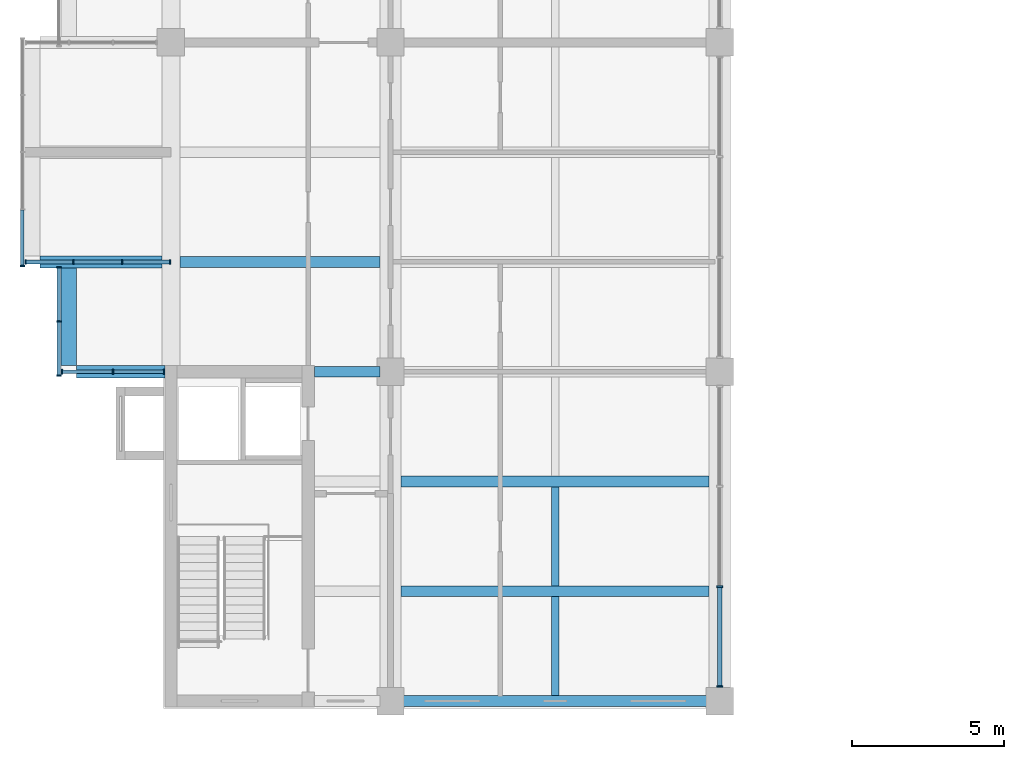
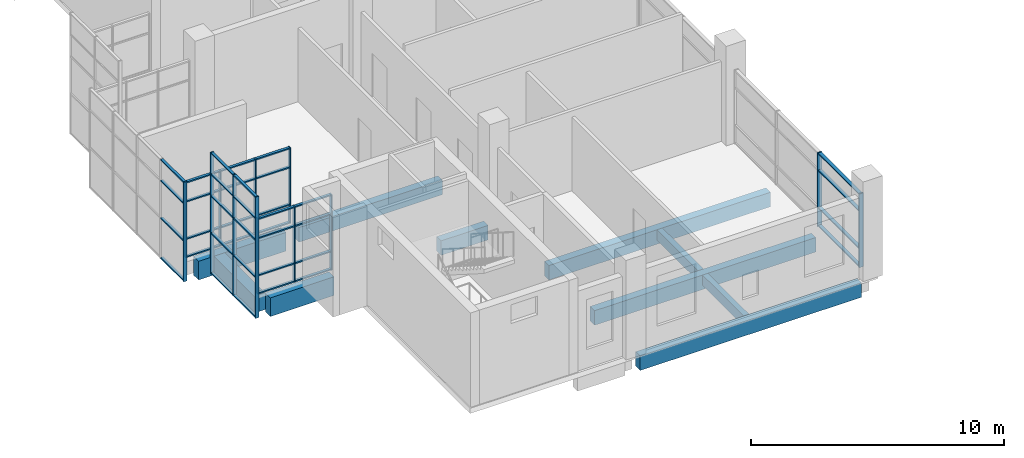
# One storey, part 2 of 23: 51 members, 10 beams, 5 elements without a shape of their own.
"""IFC4 building model written with IfcOpenShell, lengths in metres."""

from ifc_helpers import new_model, si_unit, direction, frame, origin, origin_2d, place, context, subcontext, project, spatial, rectangle, extrude, material, layer, layer_set, material_profile, profile_set, type_object, element, aggregate, save


model = new_model("IFC4")

# Units and contexts
model_context = context("Model", 3, precision=1e-05, world=origin(), true_north=direction((0.0, 1.0)))
body_context = subcontext(model_context, "Body", "Model", "MODEL_VIEW")
ifc_project = project(units=[si_unit("LENGTHUNIT", "METRE"), si_unit("AREAUNIT", "SQUARE_METRE"), si_unit("VOLUMEUNIT", "CUBIC_METRE"), si_unit("PLANEANGLEUNIT", "RADIAN"), si_unit("MASSUNIT", "GRAM", prefix="KILO")], contexts=[model_context])

# Site, building, storey
site_placement = place(None, origin())
site = spatial("IfcSite", under=ifc_project, at=site_placement, CompositionType="ELEMENT")
building_placement = place(site_placement, origin())
building = spatial("IfcBuilding", under=site, at=building_placement, Name="Basin Gate Institute", CompositionType="ELEMENT")
storey_placement = place(building_placement, frame((0.0, 0.0, 46.199951171875)))
storey = spatial("IfcBuildingStorey", under=building, at=storey_placement, Name="L09", CompositionType="ELEMENT", Elevation=46.199951171875)

# Beams
ifc_material_1 = material(Name="Concrete 40 MPa", Category="concrete")
ifc_material_profile_1 = material_profile(ifc_material_1, rectangle(XDim=0.35009765625, YDim=0.699951171875, at=origin_2d()), Name="Beam B1 350 x 700")
ifc_profile_set_1 = profile_set([ifc_material_profile_1], Name="Concrete 40 MPa")
beam_type_1 = type_object("IfcBeamType", Name="Beam B1 R120", PredefinedType="BEAM", material=ifc_profile_set_1)
for number, where, z_axis, x_axis, name in (
    (1, (68.75, 35.10009765625, -0.599853515625), (1.0, 0.0, 0.0), (0.0, 1.0, 0.0), "BEAM/L09/W/EW/01"),
    (2, (68.75, 38.699951171875, -0.599853515625), (1.0, 0.0, 0.0), (0.0, 1.0, 0.0), "BEAM/L09/W/EW/02"),
    (3, (68.75, 42.300048828125, -0.599853515625), (1.0, 0.0, 0.0), (0.0, 1.0, 0.0), "BEAM/L09/W/EW/03"),
):
    element("IfcBeam", number, at=place(storey_placement, frame(where, z_axis=z_axis, x_axis=x_axis)), inside=storey, type_object=beam_type_1, material=ifc_profile_set_1, Name=name, PredefinedType="BEAM", context=body_context, shape_type="SweptSolid", body=[
        extrude(rectangle(XDim=0.35009765625, YDim=0.699951171875, at=origin_2d()), origin(), (0.0, 0.0, 1.0), 10.10009765625),
    ])
beam_1_placement = place(storey_placement, frame((65.89990234375, 45.89990234375, -0.599853515625), z_axis=(1.0, 0.0, 0.0), x_axis=(0.0, 1.0, 0.0)))
element("IfcBeam", 4, at=beam_1_placement, inside=storey, type_object=beam_type_1, material=ifc_profile_set_1, Name="BEAM/L09/W/CORR/04", PredefinedType="BEAM", context=body_context, shape_type="SweptSolid", body=[
    extrude(rectangle(XDim=0.35009765625, YDim=0.699951171875, at=origin_2d()), origin(), (0.0, 0.0, 1.0), 2.150146484375),
])
beam_2_placement = place(storey_placement, frame((61.5, 49.5, -0.599853515625), z_axis=(1.0, 0.0, 0.0), x_axis=(0.0, 1.0, 0.0)))
element("IfcBeam", 5, at=beam_2_placement, inside=storey, type_object=beam_type_1, material=ifc_profile_set_1, Name="BEAM/L09/W/OUT/05", PredefinedType="BEAM", context=body_context, shape_type="SweptSolid", body=[
    extrude(rectangle(XDim=0.35009765625, YDim=0.699951171875, at=origin_2d()), origin(), (0.0, 0.0, 1.0), 6.550048828125),
])
ifc_material_2 = material(Name="Concrete 50 MPa", Category="concrete")
ifc_material_profile_2 = material_profile(ifc_material_2, rectangle(XDim=0.39990234375, YDim=0.89990234375, at=origin_2d()), Name="Cantilever beam B3 400 x 900")
ifc_profile_set_2 = profile_set([ifc_material_profile_2], Name="Concrete 50 MPa")
beam_type_2 = type_object("IfcBeamType", Name="Cantilever beam B3 R120", PredefinedType="BEAM", material=ifc_profile_set_2)
beam_3_placement = place(storey_placement, frame((58.10009765625, 45.89990234375, -0.699951171875), z_axis=(1.0, 0.0, 0.0), x_axis=(0.0, 1.0, 0.0)))
element("IfcBeam", 6, at=beam_3_placement, inside=storey, type_object=beam_type_2, material=ifc_profile_set_2, Name="BEAM/L09/W/CANT/04", PredefinedType="BEAM", context=body_context, shape_type="SweptSolid", body=[
    extrude(rectangle(XDim=0.39990234375, YDim=0.89990234375, at=origin_2d()), origin(), (0.0, 0.0, 1.0), 2.89990234375),
])
beam_4_placement = place(storey_placement, frame((56.89990234375, 49.5, -0.699951171875), z_axis=(1.0, 0.0, 0.0), x_axis=(0.0, 1.0, 0.0)))
element("IfcBeam", 7, at=beam_4_placement, inside=storey, type_object=beam_type_2, material=ifc_profile_set_2, Name="BEAM/L09/W/CANT/05", PredefinedType="BEAM", context=body_context, shape_type="SweptSolid", body=[
    extrude(rectangle(XDim=0.39990234375, YDim=0.89990234375, at=origin_2d()), origin(), (0.0, 0.0, 1.0), 4.0),
])

# Curtain wall, members
ifc_material_3 = material(Name="Aluminium-framed glazing", Category="aluminium")
ifc_layer_1 = layer(ifc_material_3, 0.14990234375)
ifc_layer_set_1 = layer_set([ifc_layer_1], Name="Capsule front curtain wall CW1")
curtain_wall_type_1 = type_object("IfcCurtainWallType", Name="Capsule front curtain wall CW1", PredefinedType="NOTDEFINED", material=ifc_layer_set_1)
curtain_wall_1_placement = place(storey_placement, origin())
curtain_wall_1 = element("IfcCurtainWall", 8, at=curtain_wall_1_placement, inside=storey, type_object=curtain_wall_type_1, material=ifc_layer_set_1, Name="Capsule front curtain wall W wing capsule end L09 line 4", PredefinedType="NOTDEFINED")
ifc_material_4 = material(Name="Aluminium", Category="aluminium")
ifc_material_profile_3 = material_profile(ifc_material_4, rectangle(XDim=0.14990234375, YDim=0.050048828125, at=origin_2d()), Name="Mullion MU1 150 x 50")
ifc_profile_set_3 = profile_set([ifc_material_profile_3], Name="Aluminium")
member_type_1 = type_object("IfcMemberType", Name="Mullion MU1", PredefinedType="MULLION", material=ifc_profile_set_3)
member_1_placement = place(storey_placement, frame((57.625, 45.89990234375, 0.0), z_axis=(0.0, 0.0, 1.0), x_axis=(0.0, 1.0, 0.0)))
member_1 = element("IfcMember", 9, at=member_1_placement, type_object=member_type_1, material=ifc_profile_set_3, Name="CW1 mullion 1", PredefinedType="MULLION", context=body_context, shape_type="SweptSolid", body=[
    extrude(rectangle(XDim=0.14990234375, YDim=0.050048828125, at=origin_2d()), origin(), (0.0, 0.0, 1.0), 3.650146484375),
])
member_2_placement = place(storey_placement, frame((59.300048828125, 45.89990234375, 0.0), z_axis=(0.0, 0.0, 1.0), x_axis=(0.0, 1.0, 0.0)))
member_2 = element("IfcMember", 10, at=member_2_placement, type_object=member_type_1, material=ifc_profile_set_3, Name="CW1 mullion 2", PredefinedType="MULLION", context=body_context, shape_type="SweptSolid", body=[
    extrude(rectangle(XDim=0.14990234375, YDim=0.050048828125, at=origin_2d()), origin(), (0.0, 0.0, 1.0), 3.650146484375),
])
member_3_placement = place(storey_placement, frame((60.97509765625, 45.89990234375, 0.0), z_axis=(0.0, 0.0, 1.0), x_axis=(0.0, 1.0, 0.0)))
member_3 = element("IfcMember", 11, at=member_3_placement, type_object=member_type_1, material=ifc_profile_set_3, Name="CW1 mullion 3", PredefinedType="MULLION", context=body_context, shape_type="SweptSolid", body=[
    extrude(rectangle(XDim=0.14990234375, YDim=0.050048828125, at=origin_2d()), origin(), (0.0, 0.0, 1.0), 3.650146484375),
])

curtain_wall_2_placement = place(storey_placement, origin())
curtain_wall_2 = element("IfcCurtainWall", 12, at=curtain_wall_2_placement, inside=storey, type_object=curtain_wall_type_1, material=ifc_layer_set_1, Name="Capsule front curtain wall W wing capsule end L09 line 5", PredefinedType="NOTDEFINED")
member_4_placement = place(storey_placement, frame((56.425048828125, 49.5, 0.0), z_axis=(0.0, 0.0, 1.0), x_axis=(0.0, 1.0, 0.0)))
member_4 = element("IfcMember", 13, at=member_4_placement, type_object=member_type_1, material=ifc_profile_set_3, Name="CW1 mullion 1", PredefinedType="MULLION", context=body_context, shape_type="SweptSolid", body=[
    extrude(rectangle(XDim=0.14990234375, YDim=0.050048828125, at=origin_2d()), origin(), (0.0, 0.0, 1.0), 3.650146484375),
])
member_5_placement = place(storey_placement, frame((58.0, 49.5, 0.0), z_axis=(0.0, 0.0, 1.0), x_axis=(0.0, 1.0, 0.0)))
member_5 = element("IfcMember", 14, at=member_5_placement, type_object=member_type_1, material=ifc_profile_set_3, Name="CW1 mullion 2", PredefinedType="MULLION", context=body_context, shape_type="SweptSolid", body=[
    extrude(rectangle(XDim=0.14990234375, YDim=0.050048828125, at=origin_2d()), origin(), (0.0, 0.0, 1.0), 3.650146484375),
])
member_6_placement = place(storey_placement, frame((59.60009765625, 49.5, 0.0), z_axis=(0.0, 0.0, 1.0), x_axis=(0.0, 1.0, 0.0)))
member_6 = element("IfcMember", 15, at=member_6_placement, type_object=member_type_1, material=ifc_profile_set_3, Name="CW1 mullion 3", PredefinedType="MULLION", context=body_context, shape_type="SweptSolid", body=[
    extrude(rectangle(XDim=0.14990234375, YDim=0.050048828125, at=origin_2d()), origin(), (0.0, 0.0, 1.0), 3.650146484375),
])
member_7_placement = place(storey_placement, frame((61.175048828125, 49.5, 0.0), z_axis=(0.0, 0.0, 1.0), x_axis=(0.0, 1.0, 0.0)))
member_7 = element("IfcMember", 16, at=member_7_placement, type_object=member_type_1, material=ifc_profile_set_3, Name="CW1 mullion 4", PredefinedType="MULLION", context=body_context, shape_type="SweptSolid", body=[
    extrude(rectangle(XDim=0.14990234375, YDim=0.050048828125, at=origin_2d()), origin(), (0.0, 0.0, 1.0), 3.650146484375),
])

curtain_wall_3_placement = place(storey_placement, origin())
curtain_wall_3 = element("IfcCurtainWall", 17, at=curtain_wall_3_placement, inside=storey, type_object=curtain_wall_type_1, material=ifc_layer_set_1, Name="Capsule front curtain wall W wing capsule 1 L09 front 1", PredefinedType="NOTDEFINED")
member_8_placement = place(storey_placement, frame((57.52490234375, 45.77490234375, -1.050048828125), z_axis=(0.0, 0.0, 1.0), x_axis=(-1.0, 0.0, 0.0)))
member_8 = element("IfcMember", 18, at=member_8_placement, type_object=member_type_1, material=ifc_profile_set_3, Name="CW1 mullion 1", PredefinedType="MULLION", context=body_context, shape_type="SweptSolid", body=[
    extrude(rectangle(XDim=0.14990234375, YDim=0.050048828125, at=origin_2d()), origin(), (0.0, 0.0, 1.0), 5.85009765625),
])
member_9_placement = place(storey_placement, frame((57.52490234375, 47.550048828125, -1.050048828125), z_axis=(0.0, 0.0, 1.0), x_axis=(-1.0, 0.0, 0.0)))
member_9 = element("IfcMember", 19, at=member_9_placement, type_object=member_type_1, material=ifc_profile_set_3, Name="CW1 mullion 2", PredefinedType="MULLION", context=body_context, shape_type="SweptSolid", body=[
    extrude(rectangle(XDim=0.14990234375, YDim=0.050048828125, at=origin_2d()), origin(), (0.0, 0.0, 1.0), 5.85009765625),
])
member_10_placement = place(storey_placement, frame((57.52490234375, 49.324951171875, -1.050048828125), z_axis=(0.0, 0.0, 1.0), x_axis=(-1.0, 0.0, 0.0)))
member_10 = element("IfcMember", 20, at=member_10_placement, type_object=member_type_1, material=ifc_profile_set_3, Name="CW1 mullion 3", PredefinedType="MULLION", context=body_context, shape_type="SweptSolid", body=[
    extrude(rectangle(XDim=0.14990234375, YDim=0.050048828125, at=origin_2d()), origin(), (0.0, 0.0, 1.0), 5.85009765625),
])

# Curtain wall, member
curtain_wall_4_placement = place(storey_placement, origin())
curtain_wall_4 = element("IfcCurtainWall", 21, at=curtain_wall_4_placement, inside=storey, type_object=curtain_wall_type_1, material=ifc_layer_set_1, Name="Capsule front curtain wall W wing capsule 1 L09 front 2", PredefinedType="NOTDEFINED")
member_11_placement = place(storey_placement, frame((56.324951171875, 49.375, -1.050048828125), z_axis=(0.0, 0.0, 1.0), x_axis=(-1.0, 0.0, 0.0)))
member_11 = element("IfcMember", 22, at=member_11_placement, type_object=member_type_1, material=ifc_profile_set_3, Name="CW1 mullion 1", PredefinedType="MULLION", context=body_context, shape_type="SweptSolid", body=[
    extrude(rectangle(XDim=0.14990234375, YDim=0.050048828125, at=origin_2d()), origin(), (0.0, 0.0, 1.0), 4.800048828125),
])

# Curtain wall, members
ifc_material_5 = material(Name="Aluminium-framed glazing", Category="aluminium")
ifc_layer_2 = layer(ifc_material_5, 0.199951171875)
ifc_layer_set_2 = layer_set([ifc_layer_2], Name="Atrium curtain wall CW2")
curtain_wall_type_2 = type_object("IfcCurtainWallType", Name="Atrium curtain wall CW2", PredefinedType="NOTDEFINED", material=ifc_layer_set_2)
curtain_wall_5_placement = place(storey_placement, origin())
curtain_wall_5 = element("IfcCurtainWall", 23, at=curtain_wall_5_placement, inside=storey, type_object=curtain_wall_type_2, material=ifc_layer_set_2, Name="Atrium curtain wall W wing atrium bay 1 L09", PredefinedType="NOTDEFINED")
ifc_material_6 = material(Name="Aluminium", Category="aluminium")
ifc_material_profile_4 = material_profile(ifc_material_6, rectangle(XDim=0.199951171875, YDim=0.06005859375, at=origin_2d()), Name="Mullion MU2 200 x 60")
ifc_profile_set_4 = profile_set([ifc_material_profile_4], Name="Aluminium")
member_type_2 = type_object("IfcMemberType", Name="Mullion MU2", PredefinedType="MULLION", material=ifc_profile_set_4)
member_12_placement = place(storey_placement, frame((79.199951171875, 35.580078125, 0.0), z_axis=(0.0, 0.0, 1.0), x_axis=(-1.0, 0.0, 0.0)))
member_12 = element("IfcMember", 24, at=member_12_placement, type_object=member_type_2, material=ifc_profile_set_4, Name="CW2 mullion 1", PredefinedType="MULLION", context=body_context, shape_type="SweptSolid", body=[
    extrude(rectangle(XDim=0.199951171875, YDim=0.06005859375, at=origin_2d()), origin(), (0.0, 0.0, 1.0), 3.550048828125),
])
member_13_placement = place(storey_placement, frame((79.199951171875, 38.85009765625, 0.0), z_axis=(0.0, 0.0, 1.0), x_axis=(-1.0, 0.0, 0.0)))
member_13 = element("IfcMember", 25, at=member_13_placement, type_object=member_type_2, material=ifc_profile_set_4, Name="CW2 mullion 2", PredefinedType="MULLION", context=body_context, shape_type="SweptSolid", body=[
    extrude(rectangle(XDim=0.199951171875, YDim=0.06005859375, at=origin_2d()), origin(), (0.0, 0.0, 1.0), 3.550048828125),
])

# Beams
ifc_material_7 = material(Name="Concrete 40 MPa", Category="concrete")
ifc_material_profile_5 = material_profile(ifc_material_7, rectangle(XDim=0.25, YDim=0.5, at=origin_2d()), Name="Rib R1 250 x 500")
ifc_profile_set_5 = profile_set([ifc_material_profile_5], Name="Concrete 40 MPa")
beam_type_3 = type_object("IfcBeamType", Name="Rib R1 R120", PredefinedType="JOIST", material=ifc_profile_set_5)
for number, where, z_axis, x_axis, name in (
    (26, (73.800048828125, 35.27490234375, -0.5), (0.0, 1.0, 0.0), (-1.0, 0.0, 0.0), "BEAM/L09/W/RIB/01"),
    (27, (73.800048828125, 38.875, -0.5), (0.0, 1.0, 0.0), (-1.0, 0.0, 0.0), "BEAM/L09/W/RIB/02"),
):
    element("IfcBeam", number, at=place(storey_placement, frame(where, z_axis=z_axis, x_axis=x_axis)), inside=storey, type_object=beam_type_3, material=ifc_profile_set_5, Name=name, PredefinedType="JOIST", context=body_context, shape_type="SweptSolid", body=[
        extrude(rectangle(XDim=0.25, YDim=0.5, at=origin_2d()), origin(), (0.0, 0.0, 1.0), 3.25),
    ])
ifc_material_8 = material(Name="Concrete 50 MPa", Category="concrete")
ifc_material_profile_6 = material_profile(ifc_material_8, rectangle(XDim=0.5, YDim=0.800048828125, at=origin_2d()), Name="Tip beam TB1 500 x 800")
ifc_profile_set_6 = profile_set([ifc_material_profile_6], Name="Concrete 50 MPa")
beam_type_4 = type_object("IfcBeamType", Name="Tip beam TB1 R120", PredefinedType="SPANDREL", material=ifc_profile_set_6)
beam_5_placement = place(storey_placement, frame((57.85009765625, 46.10009765625, -0.64990234375), z_axis=(0.0, 1.0, 0.0), x_axis=(-1.0, 0.0, 0.0)))
element("IfcBeam", 28, at=beam_5_placement, inside=storey, type_object=beam_type_4, material=ifc_profile_set_6, Name="BEAM/L09/W/TIP/1", PredefinedType="SPANDREL", context=body_context, shape_type="SweptSolid", body=[
    extrude(rectangle(XDim=0.5, YDim=0.800048828125, at=origin_2d()), origin(), (0.0, 0.0, 1.0), 3.199951171875),
])

# Member
ifc_material_9 = material(Name="Aluminium", Category="aluminium")
ifc_material_profile_7 = material_profile(ifc_material_9, rectangle(XDim=0.1201171875, YDim=0.06005859375, at=origin_2d()), Name="Transom TR1 120 x 60")
ifc_profile_set_7 = profile_set([ifc_material_profile_7], Name="Aluminium")
member_type_3 = type_object("IfcMemberType", Name="Transom TR1", PredefinedType="USERDEFINED", material=ifc_profile_set_7)
member_14_placement = place(storey_placement, frame((57.64990234375, 45.89990234375, 0.030029296875), z_axis=(1.0, 0.0, 0.0), x_axis=(0.0, 1.0, 0.0)))
member_14 = element("IfcMember", 29, at=member_14_placement, type_object=member_type_3, material=ifc_profile_set_7, Name="CW1 transom 1.1", ObjectType="TRANSOM", PredefinedType="USERDEFINED", context=body_context, shape_type="SweptSolid", body=[
    extrude(rectangle(XDim=0.1201171875, YDim=0.06005859375, at=origin_2d()), origin(), (0.0, 0.0, 1.0), 1.625),
])

member_15_placement = place(storey_placement, frame((57.64990234375, 45.89990234375, 0.900146484375), z_axis=(1.0, 0.0, 0.0), x_axis=(0.0, 1.0, 0.0)))
member_15 = element("IfcMember", 30, at=member_15_placement, type_object=member_type_3, material=ifc_profile_set_7, Name="CW1 transom 1.2", ObjectType="TRANSOM", PredefinedType="USERDEFINED", context=body_context, shape_type="SweptSolid", body=[
    extrude(rectangle(XDim=0.1201171875, YDim=0.06005859375, at=origin_2d()), origin(), (0.0, 0.0, 1.0), 1.625),
])

member_16_placement = place(storey_placement, frame((57.64990234375, 45.89990234375, 2.699951171875), z_axis=(1.0, 0.0, 0.0), x_axis=(0.0, 1.0, 0.0)))
member_16 = element("IfcMember", 31, at=member_16_placement, type_object=member_type_3, material=ifc_profile_set_7, Name="CW1 transom 1.3", ObjectType="TRANSOM", PredefinedType="USERDEFINED", context=body_context, shape_type="SweptSolid", body=[
    extrude(rectangle(XDim=0.1201171875, YDim=0.06005859375, at=origin_2d()), origin(), (0.0, 0.0, 1.0), 1.625),
])

member_17_placement = place(storey_placement, frame((57.64990234375, 45.89990234375, 3.6201171875), z_axis=(1.0, 0.0, 0.0), x_axis=(0.0, 1.0, 0.0)))
member_17 = element("IfcMember", 32, at=member_17_placement, type_object=member_type_3, material=ifc_profile_set_7, Name="CW1 transom 1.4", ObjectType="TRANSOM", PredefinedType="USERDEFINED", context=body_context, shape_type="SweptSolid", body=[
    extrude(rectangle(XDim=0.1201171875, YDim=0.06005859375, at=origin_2d()), origin(), (0.0, 0.0, 1.0), 1.625),
])

member_18_placement = place(storey_placement, frame((59.324951171875, 45.89990234375, 0.030029296875), z_axis=(1.0, 0.0, 0.0), x_axis=(0.0, 1.0, 0.0)))
member_18 = element("IfcMember", 33, at=member_18_placement, type_object=member_type_3, material=ifc_profile_set_7, Name="CW1 transom 2.1", ObjectType="TRANSOM", PredefinedType="USERDEFINED", context=body_context, shape_type="SweptSolid", body=[
    extrude(rectangle(XDim=0.1201171875, YDim=0.06005859375, at=origin_2d()), origin(), (0.0, 0.0, 1.0), 1.625),
])

member_19_placement = place(storey_placement, frame((59.324951171875, 45.89990234375, 0.900146484375), z_axis=(1.0, 0.0, 0.0), x_axis=(0.0, 1.0, 0.0)))
member_19 = element("IfcMember", 34, at=member_19_placement, type_object=member_type_3, material=ifc_profile_set_7, Name="CW1 transom 2.2", ObjectType="TRANSOM", PredefinedType="USERDEFINED", context=body_context, shape_type="SweptSolid", body=[
    extrude(rectangle(XDim=0.1201171875, YDim=0.06005859375, at=origin_2d()), origin(), (0.0, 0.0, 1.0), 1.625),
])

member_20_placement = place(storey_placement, frame((59.324951171875, 45.89990234375, 2.699951171875), z_axis=(1.0, 0.0, 0.0), x_axis=(0.0, 1.0, 0.0)))
member_20 = element("IfcMember", 35, at=member_20_placement, type_object=member_type_3, material=ifc_profile_set_7, Name="CW1 transom 2.3", ObjectType="TRANSOM", PredefinedType="USERDEFINED", context=body_context, shape_type="SweptSolid", body=[
    extrude(rectangle(XDim=0.1201171875, YDim=0.06005859375, at=origin_2d()), origin(), (0.0, 0.0, 1.0), 1.625),
])

member_21_placement = place(storey_placement, frame((59.324951171875, 45.89990234375, 3.6201171875), z_axis=(1.0, 0.0, 0.0), x_axis=(0.0, 1.0, 0.0)))
member_21 = element("IfcMember", 36, at=member_21_placement, type_object=member_type_3, material=ifc_profile_set_7, Name="CW1 transom 2.4", ObjectType="TRANSOM", PredefinedType="USERDEFINED", context=body_context, shape_type="SweptSolid", body=[
    extrude(rectangle(XDim=0.1201171875, YDim=0.06005859375, at=origin_2d()), origin(), (0.0, 0.0, 1.0), 1.625),
])

aggregate(curtain_wall_1, [member_1, member_2, member_3, member_14, member_15, member_16, member_17, member_18, member_19, member_20, member_21])

member_22_placement = place(storey_placement, frame((56.449951171875, 49.5, 0.030029296875), z_axis=(1.0, 0.0, 0.0), x_axis=(0.0, 1.0, 0.0)))
member_22 = element("IfcMember", 37, at=member_22_placement, type_object=member_type_3, material=ifc_profile_set_7, Name="CW1 transom 1.1", ObjectType="TRANSOM", PredefinedType="USERDEFINED", context=body_context, shape_type="SweptSolid", body=[
    extrude(rectangle(XDim=0.1201171875, YDim=0.06005859375, at=origin_2d()), origin(), (0.0, 0.0, 1.0), 1.525146484375),
])

member_23_placement = place(storey_placement, frame((56.449951171875, 49.5, 0.900146484375), z_axis=(1.0, 0.0, 0.0), x_axis=(0.0, 1.0, 0.0)))
member_23 = element("IfcMember", 38, at=member_23_placement, type_object=member_type_3, material=ifc_profile_set_7, Name="CW1 transom 1.2", ObjectType="TRANSOM", PredefinedType="USERDEFINED", context=body_context, shape_type="SweptSolid", body=[
    extrude(rectangle(XDim=0.1201171875, YDim=0.06005859375, at=origin_2d()), origin(), (0.0, 0.0, 1.0), 1.525146484375),
])

member_24_placement = place(storey_placement, frame((56.449951171875, 49.5, 2.699951171875), z_axis=(1.0, 0.0, 0.0), x_axis=(0.0, 1.0, 0.0)))
member_24 = element("IfcMember", 39, at=member_24_placement, type_object=member_type_3, material=ifc_profile_set_7, Name="CW1 transom 1.3", ObjectType="TRANSOM", PredefinedType="USERDEFINED", context=body_context, shape_type="SweptSolid", body=[
    extrude(rectangle(XDim=0.1201171875, YDim=0.06005859375, at=origin_2d()), origin(), (0.0, 0.0, 1.0), 1.525146484375),
])

member_25_placement = place(storey_placement, frame((56.449951171875, 49.5, 3.6201171875), z_axis=(1.0, 0.0, 0.0), x_axis=(0.0, 1.0, 0.0)))
member_25 = element("IfcMember", 40, at=member_25_placement, type_object=member_type_3, material=ifc_profile_set_7, Name="CW1 transom 1.4", ObjectType="TRANSOM", PredefinedType="USERDEFINED", context=body_context, shape_type="SweptSolid", body=[
    extrude(rectangle(XDim=0.1201171875, YDim=0.06005859375, at=origin_2d()), origin(), (0.0, 0.0, 1.0), 1.525146484375),
])

member_26_placement = place(storey_placement, frame((58.02490234375, 49.5, 0.030029296875), z_axis=(1.0, 0.0, 0.0), x_axis=(0.0, 1.0, 0.0)))
member_26 = element("IfcMember", 41, at=member_26_placement, type_object=member_type_3, material=ifc_profile_set_7, Name="CW1 transom 2.1", ObjectType="TRANSOM", PredefinedType="USERDEFINED", context=body_context, shape_type="SweptSolid", body=[
    extrude(rectangle(XDim=0.1201171875, YDim=0.06005859375, at=origin_2d()), origin(), (0.0, 0.0, 1.0), 1.550048828125),
])

member_27_placement = place(storey_placement, frame((58.02490234375, 49.5, 0.900146484375), z_axis=(1.0, 0.0, 0.0), x_axis=(0.0, 1.0, 0.0)))
member_27 = element("IfcMember", 42, at=member_27_placement, type_object=member_type_3, material=ifc_profile_set_7, Name="CW1 transom 2.2", ObjectType="TRANSOM", PredefinedType="USERDEFINED", context=body_context, shape_type="SweptSolid", body=[
    extrude(rectangle(XDim=0.1201171875, YDim=0.06005859375, at=origin_2d()), origin(), (0.0, 0.0, 1.0), 1.550048828125),
])

member_28_placement = place(storey_placement, frame((58.02490234375, 49.5, 2.699951171875), z_axis=(1.0, 0.0, 0.0), x_axis=(0.0, 1.0, 0.0)))
member_28 = element("IfcMember", 43, at=member_28_placement, type_object=member_type_3, material=ifc_profile_set_7, Name="CW1 transom 2.3", ObjectType="TRANSOM", PredefinedType="USERDEFINED", context=body_context, shape_type="SweptSolid", body=[
    extrude(rectangle(XDim=0.1201171875, YDim=0.06005859375, at=origin_2d()), origin(), (0.0, 0.0, 1.0), 1.550048828125),
])

member_29_placement = place(storey_placement, frame((58.02490234375, 49.5, 3.6201171875), z_axis=(1.0, 0.0, 0.0), x_axis=(0.0, 1.0, 0.0)))
member_29 = element("IfcMember", 44, at=member_29_placement, type_object=member_type_3, material=ifc_profile_set_7, Name="CW1 transom 2.4", ObjectType="TRANSOM", PredefinedType="USERDEFINED", context=body_context, shape_type="SweptSolid", body=[
    extrude(rectangle(XDim=0.1201171875, YDim=0.06005859375, at=origin_2d()), origin(), (0.0, 0.0, 1.0), 1.550048828125),
])

member_30_placement = place(storey_placement, frame((59.625, 49.5, 0.030029296875), z_axis=(1.0, 0.0, 0.0), x_axis=(0.0, 1.0, 0.0)))
member_30 = element("IfcMember", 45, at=member_30_placement, type_object=member_type_3, material=ifc_profile_set_7, Name="CW1 transom 3.1", ObjectType="TRANSOM", PredefinedType="USERDEFINED", context=body_context, shape_type="SweptSolid", body=[
    extrude(rectangle(XDim=0.1201171875, YDim=0.06005859375, at=origin_2d()), origin(), (0.0, 0.0, 1.0), 1.52490234375),
])

member_31_placement = place(storey_placement, frame((59.625, 49.5, 0.900146484375), z_axis=(1.0, 0.0, 0.0), x_axis=(0.0, 1.0, 0.0)))
member_31 = element("IfcMember", 46, at=member_31_placement, type_object=member_type_3, material=ifc_profile_set_7, Name="CW1 transom 3.2", ObjectType="TRANSOM", PredefinedType="USERDEFINED", context=body_context, shape_type="SweptSolid", body=[
    extrude(rectangle(XDim=0.1201171875, YDim=0.06005859375, at=origin_2d()), origin(), (0.0, 0.0, 1.0), 1.52490234375),
])

member_32_placement = place(storey_placement, frame((59.625, 49.5, 2.699951171875), z_axis=(1.0, 0.0, 0.0), x_axis=(0.0, 1.0, 0.0)))
member_32 = element("IfcMember", 47, at=member_32_placement, type_object=member_type_3, material=ifc_profile_set_7, Name="CW1 transom 3.3", ObjectType="TRANSOM", PredefinedType="USERDEFINED", context=body_context, shape_type="SweptSolid", body=[
    extrude(rectangle(XDim=0.1201171875, YDim=0.06005859375, at=origin_2d()), origin(), (0.0, 0.0, 1.0), 1.52490234375),
])

member_33_placement = place(storey_placement, frame((59.625, 49.5, 3.6201171875), z_axis=(1.0, 0.0, 0.0), x_axis=(0.0, 1.0, 0.0)))
member_33 = element("IfcMember", 48, at=member_33_placement, type_object=member_type_3, material=ifc_profile_set_7, Name="CW1 transom 3.4", ObjectType="TRANSOM", PredefinedType="USERDEFINED", context=body_context, shape_type="SweptSolid", body=[
    extrude(rectangle(XDim=0.1201171875, YDim=0.06005859375, at=origin_2d()), origin(), (0.0, 0.0, 1.0), 1.52490234375),
])

aggregate(curtain_wall_2, [member_4, member_5, member_6, member_7, member_22, member_23, member_24, member_25, member_26, member_27, member_28, member_29, member_30, member_31, member_32, member_33])

member_34_placement = place(storey_placement, frame((57.52490234375, 45.800048828125, -1.02001953125), z_axis=(0.0, 1.0, 0.0), x_axis=(-1.0, 0.0, 0.0)))
member_34 = element("IfcMember", 49, at=member_34_placement, type_object=member_type_3, material=ifc_profile_set_7, Name="CW1 transom 1.1", ObjectType="TRANSOM", PredefinedType="USERDEFINED", context=body_context, shape_type="SweptSolid", body=[
    extrude(rectangle(XDim=0.1201171875, YDim=0.06005859375, at=origin_2d()), origin(), (0.0, 0.0, 1.0), 1.724853515625),
])

member_35_placement = place(storey_placement, frame((57.52490234375, 45.800048828125, 0.900146484375), z_axis=(0.0, 1.0, 0.0), x_axis=(-1.0, 0.0, 0.0)))
member_35 = element("IfcMember", 50, at=member_35_placement, type_object=member_type_3, material=ifc_profile_set_7, Name="CW1 transom 1.2", ObjectType="TRANSOM", PredefinedType="USERDEFINED", context=body_context, shape_type="SweptSolid", body=[
    extrude(rectangle(XDim=0.1201171875, YDim=0.06005859375, at=origin_2d()), origin(), (0.0, 0.0, 1.0), 1.724853515625),
])

member_36_placement = place(storey_placement, frame((57.52490234375, 45.800048828125, 2.699951171875), z_axis=(0.0, 1.0, 0.0), x_axis=(-1.0, 0.0, 0.0)))
member_36 = element("IfcMember", 51, at=member_36_placement, type_object=member_type_3, material=ifc_profile_set_7, Name="CW1 transom 1.3", ObjectType="TRANSOM", PredefinedType="USERDEFINED", context=body_context, shape_type="SweptSolid", body=[
    extrude(rectangle(XDim=0.1201171875, YDim=0.06005859375, at=origin_2d()), origin(), (0.0, 0.0, 1.0), 1.724853515625),
])

member_37_placement = place(storey_placement, frame((57.52490234375, 45.800048828125, 3.75), z_axis=(0.0, 1.0, 0.0), x_axis=(-1.0, 0.0, 0.0)))
member_37 = element("IfcMember", 52, at=member_37_placement, type_object=member_type_3, material=ifc_profile_set_7, Name="CW1 transom 1.4", ObjectType="TRANSOM", PredefinedType="USERDEFINED", context=body_context, shape_type="SweptSolid", body=[
    extrude(rectangle(XDim=0.1201171875, YDim=0.06005859375, at=origin_2d()), origin(), (0.0, 0.0, 1.0), 1.724853515625),
])

member_38_placement = place(storey_placement, frame((57.52490234375, 45.800048828125, 4.77001953125), z_axis=(0.0, 1.0, 0.0), x_axis=(-1.0, 0.0, 0.0)))
member_38 = element("IfcMember", 53, at=member_38_placement, type_object=member_type_3, material=ifc_profile_set_7, Name="CW1 transom 1.5", ObjectType="TRANSOM", PredefinedType="USERDEFINED", context=body_context, shape_type="SweptSolid", body=[
    extrude(rectangle(XDim=0.1201171875, YDim=0.06005859375, at=origin_2d()), origin(), (0.0, 0.0, 1.0), 1.724853515625),
])

member_39_placement = place(storey_placement, frame((57.52490234375, 47.574951171875, -1.02001953125), z_axis=(0.0, 1.0, 0.0), x_axis=(-1.0, 0.0, 0.0)))
member_39 = element("IfcMember", 54, at=member_39_placement, type_object=member_type_3, material=ifc_profile_set_7, Name="CW1 transom 2.1", ObjectType="TRANSOM", PredefinedType="USERDEFINED", context=body_context, shape_type="SweptSolid", body=[
    extrude(rectangle(XDim=0.1201171875, YDim=0.06005859375, at=origin_2d()), origin(), (0.0, 0.0, 1.0), 1.72509765625),
])

member_40_placement = place(storey_placement, frame((57.52490234375, 47.574951171875, 0.900146484375), z_axis=(0.0, 1.0, 0.0), x_axis=(-1.0, 0.0, 0.0)))
member_40 = element("IfcMember", 55, at=member_40_placement, type_object=member_type_3, material=ifc_profile_set_7, Name="CW1 transom 2.2", ObjectType="TRANSOM", PredefinedType="USERDEFINED", context=body_context, shape_type="SweptSolid", body=[
    extrude(rectangle(XDim=0.1201171875, YDim=0.06005859375, at=origin_2d()), origin(), (0.0, 0.0, 1.0), 1.72509765625),
])

member_41_placement = place(storey_placement, frame((57.52490234375, 47.574951171875, 2.699951171875), z_axis=(0.0, 1.0, 0.0), x_axis=(-1.0, 0.0, 0.0)))
member_41 = element("IfcMember", 56, at=member_41_placement, type_object=member_type_3, material=ifc_profile_set_7, Name="CW1 transom 2.3", ObjectType="TRANSOM", PredefinedType="USERDEFINED", context=body_context, shape_type="SweptSolid", body=[
    extrude(rectangle(XDim=0.1201171875, YDim=0.06005859375, at=origin_2d()), origin(), (0.0, 0.0, 1.0), 1.72509765625),
])

member_42_placement = place(storey_placement, frame((57.52490234375, 47.574951171875, 3.75), z_axis=(0.0, 1.0, 0.0), x_axis=(-1.0, 0.0, 0.0)))
member_42 = element("IfcMember", 57, at=member_42_placement, type_object=member_type_3, material=ifc_profile_set_7, Name="CW1 transom 2.4", ObjectType="TRANSOM", PredefinedType="USERDEFINED", context=body_context, shape_type="SweptSolid", body=[
    extrude(rectangle(XDim=0.1201171875, YDim=0.06005859375, at=origin_2d()), origin(), (0.0, 0.0, 1.0), 1.72509765625),
])

member_43_placement = place(storey_placement, frame((57.52490234375, 47.574951171875, 4.77001953125), z_axis=(0.0, 1.0, 0.0), x_axis=(-1.0, 0.0, 0.0)))
member_43 = element("IfcMember", 58, at=member_43_placement, type_object=member_type_3, material=ifc_profile_set_7, Name="CW1 transom 2.5", ObjectType="TRANSOM", PredefinedType="USERDEFINED", context=body_context, shape_type="SweptSolid", body=[
    extrude(rectangle(XDim=0.1201171875, YDim=0.06005859375, at=origin_2d()), origin(), (0.0, 0.0, 1.0), 1.72509765625),
])

aggregate(curtain_wall_3, [member_8, member_9, member_10, member_34, member_35, member_36, member_37, member_38, member_39, member_40, member_41, member_42, member_43])

member_44_placement = place(storey_placement, frame((56.324951171875, 49.39990234375, -1.02001953125), z_axis=(0.0, 1.0, 0.0), x_axis=(-1.0, 0.0, 0.0)))
member_44 = element("IfcMember", 59, at=member_44_placement, type_object=member_type_3, material=ifc_profile_set_7, Name="CW1 transom 1.1", ObjectType="TRANSOM", PredefinedType="USERDEFINED", context=body_context, shape_type="SweptSolid", body=[
    extrude(rectangle(XDim=0.1201171875, YDim=0.06005859375, at=origin_2d()), origin(), (0.0, 0.0, 1.0), 1.800048828125),
])

member_45_placement = place(storey_placement, frame((56.324951171875, 49.39990234375, 0.900146484375), z_axis=(0.0, 1.0, 0.0), x_axis=(-1.0, 0.0, 0.0)))
member_45 = element("IfcMember", 60, at=member_45_placement, type_object=member_type_3, material=ifc_profile_set_7, Name="CW1 transom 1.2", ObjectType="TRANSOM", PredefinedType="USERDEFINED", context=body_context, shape_type="SweptSolid", body=[
    extrude(rectangle(XDim=0.1201171875, YDim=0.06005859375, at=origin_2d()), origin(), (0.0, 0.0, 1.0), 1.800048828125),
])

member_46_placement = place(storey_placement, frame((56.324951171875, 49.39990234375, 2.699951171875), z_axis=(0.0, 1.0, 0.0), x_axis=(-1.0, 0.0, 0.0)))
member_46 = element("IfcMember", 61, at=member_46_placement, type_object=member_type_3, material=ifc_profile_set_7, Name="CW1 transom 1.3", ObjectType="TRANSOM", PredefinedType="USERDEFINED", context=body_context, shape_type="SweptSolid", body=[
    extrude(rectangle(XDim=0.1201171875, YDim=0.06005859375, at=origin_2d()), origin(), (0.0, 0.0, 1.0), 1.800048828125),
])

member_47_placement = place(storey_placement, frame((56.324951171875, 49.39990234375, 3.719970703125), z_axis=(0.0, 1.0, 0.0), x_axis=(-1.0, 0.0, 0.0)))
member_47 = element("IfcMember", 62, at=member_47_placement, type_object=member_type_3, material=ifc_profile_set_7, Name="CW1 transom 1.4", ObjectType="TRANSOM", PredefinedType="USERDEFINED", context=body_context, shape_type="SweptSolid", body=[
    extrude(rectangle(XDim=0.1201171875, YDim=0.06005859375, at=origin_2d()), origin(), (0.0, 0.0, 1.0), 1.800048828125),
])

aggregate(curtain_wall_4, [member_11, member_44, member_45, member_46, member_47])

ifc_material_10 = material(Name="Aluminium", Category="aluminium")
ifc_material_profile_8 = material_profile(ifc_material_10, rectangle(XDim=0.14990234375, YDim=0.06005859375, at=origin_2d()), Name="Transom TR2 150 x 60")
ifc_profile_set_8 = profile_set([ifc_material_profile_8], Name="Aluminium")
member_type_4 = type_object("IfcMemberType", Name="Transom TR2", PredefinedType="USERDEFINED", material=ifc_profile_set_8)
member_48_placement = place(storey_placement, frame((79.199951171875, 35.610107421875, 0.030029296875), z_axis=(0.0, 1.0, 0.0), x_axis=(-1.0, 0.0, 0.0)))
member_48 = element("IfcMember", 63, at=member_48_placement, type_object=member_type_4, material=ifc_profile_set_8, Name="CW2 transom 1.1", ObjectType="TRANSOM", PredefinedType="USERDEFINED", context=body_context, shape_type="SweptSolid", body=[
    extrude(rectangle(XDim=0.14990234375, YDim=0.06005859375, at=origin_2d()), origin(), (0.0, 0.0, 1.0), 3.2099609375),
])

member_49_placement = place(storey_placement, frame((79.199951171875, 35.610107421875, 0.900146484375), z_axis=(0.0, 1.0, 0.0), x_axis=(-1.0, 0.0, 0.0)))
member_49 = element("IfcMember", 64, at=member_49_placement, type_object=member_type_4, material=ifc_profile_set_8, Name="CW2 transom 1.2", ObjectType="TRANSOM", PredefinedType="USERDEFINED", context=body_context, shape_type="SweptSolid", body=[
    extrude(rectangle(XDim=0.14990234375, YDim=0.06005859375, at=origin_2d()), origin(), (0.0, 0.0, 1.0), 3.2099609375),
])

member_50_placement = place(storey_placement, frame((79.199951171875, 35.610107421875, 2.699951171875), z_axis=(0.0, 1.0, 0.0), x_axis=(-1.0, 0.0, 0.0)))
member_50 = element("IfcMember", 65, at=member_50_placement, type_object=member_type_4, material=ifc_profile_set_8, Name="CW2 transom 1.3", ObjectType="TRANSOM", PredefinedType="USERDEFINED", context=body_context, shape_type="SweptSolid", body=[
    extrude(rectangle(XDim=0.14990234375, YDim=0.06005859375, at=origin_2d()), origin(), (0.0, 0.0, 1.0), 3.2099609375),
])

member_51_placement = place(storey_placement, frame((79.199951171875, 35.610107421875, 3.52001953125), z_axis=(0.0, 1.0, 0.0), x_axis=(-1.0, 0.0, 0.0)))
member_51 = element("IfcMember", 66, at=member_51_placement, type_object=member_type_4, material=ifc_profile_set_8, Name="CW2 transom 1.4", ObjectType="TRANSOM", PredefinedType="USERDEFINED", context=body_context, shape_type="SweptSolid", body=[
    extrude(rectangle(XDim=0.14990234375, YDim=0.06005859375, at=origin_2d()), origin(), (0.0, 0.0, 1.0), 3.2099609375),
])

aggregate(curtain_wall_5, [member_12, member_13, member_48, member_49, member_50, member_51])

save(model, "model.ifc")
